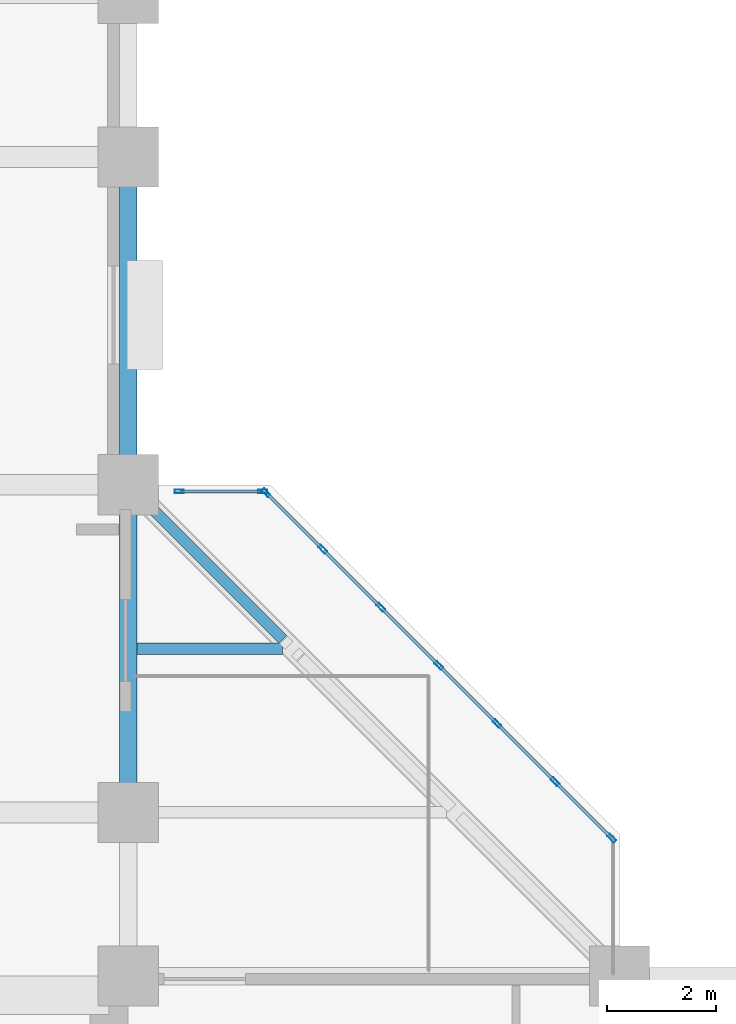
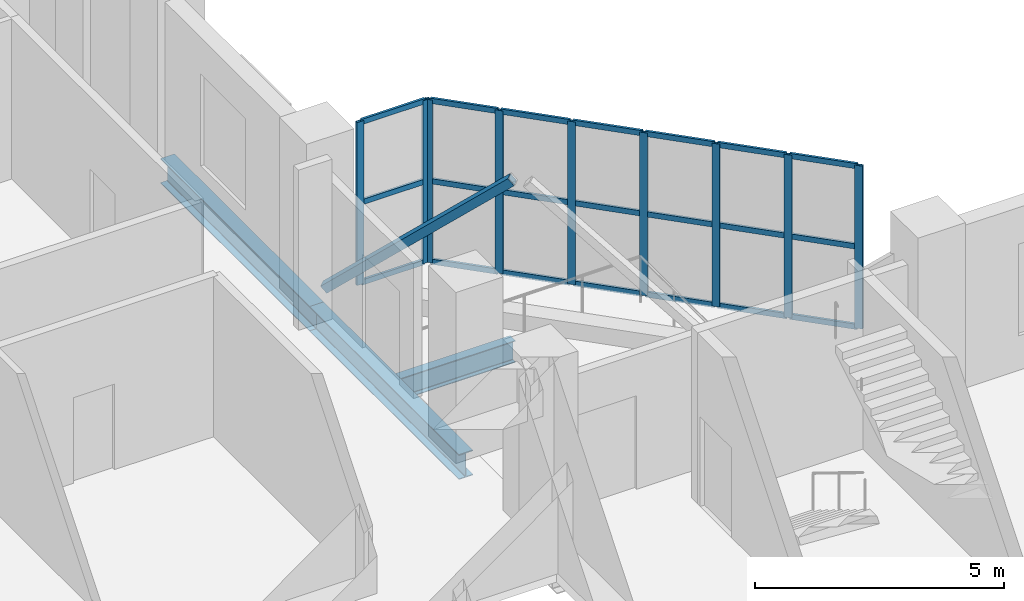
# One storey, part 2 of 10: 31 members, 3 beams, 2 elements without a shape of their own.
"""IFC4 building model written with IfcOpenShell, lengths in metres."""

from ifc_helpers import new_model, si_unit, direction, frame, origin, origin_2d, place, context, subcontext, project, spatial, hollow_rectangle, i_section, extrude, material, layer, layer_set, material_profile, profile_set, type_object, element, aggregate, save


model = new_model("IFC4")

# Units and contexts
model_context = context("Model", 3, precision=1e-05, world=origin(), true_north=direction((0.0, 1.0)))
body_context = subcontext(model_context, "Body", "Model", "MODEL_VIEW")
ifc_project = project(units=[si_unit("LENGTHUNIT", "METRE"), si_unit("AREAUNIT", "SQUARE_METRE"), si_unit("VOLUMEUNIT", "CUBIC_METRE"), si_unit("PLANEANGLEUNIT", "RADIAN"), si_unit("MASSUNIT", "GRAM", prefix="KILO")], contexts=[model_context])

# Site, building, storey
site_placement = place(None, origin())
site = spatial("IfcSite", under=ifc_project, at=site_placement, CompositionType="ELEMENT")
building_placement = place(site_placement, origin())
building = spatial("IfcBuilding", under=site, at=building_placement, Name="Mawjdan Bourse Tower", CompositionType="ELEMENT")
storey_placement = place(building_placement, frame((0.0, 0.0, 89.10009765625)))
storey = spatial("IfcBuildingStorey", under=building, at=storey_placement, Name="L20", CompositionType="ELEMENT", Elevation=89.10009765625)

# Member
ifc_material_1 = material(Name="Structural Steel S355", Category="steel")
ifc_material_profile_1 = material_profile(ifc_material_1, hollow_rectangle(XDim=0.199951171875, YDim=0.199951171875, WallThickness=0.010009765625, at=origin_2d()), Name="HSS200X200X10")
ifc_profile_set_1 = profile_set([ifc_material_profile_1], Name="Structural Steel S355")
member_type_1 = type_object("IfcMemberType", Name="BRC-HSS200X200X10", PredefinedType="BRACE", material=ifc_profile_set_1)
member_1_placement = place(storey_placement, frame((24.1201171875, 29.8798828125, 0.199951171875), z_axis=(0.536568841255, -0.536568841255, 0.651296980791), x_axis=(0.707106781187, 0.707106781187, 0.0)))
element("IfcMember", 1, at=member_1_placement, inside=storey, type_object=member_type_1, Name="L20 Atrium Sky Bridge Truss Diagonal 1", PredefinedType="BRACE", context=body_context, shape_type="SweptSolid", body=[
    extrude(hollow_rectangle(XDim=0.199951171875, YDim=0.199951171875, WallThickness=0.010009765625, at=origin_2d()), origin(), (0.0, 0.0, 1.0), 5.143310546875),
])

# Beam
ifc_material_profile_2 = material_profile(ifc_material_1, i_section(OverallWidth=0.2099609375, OverallDepth=0.537109375, WebThickness=0.010986328125, FlangeThickness=0.017333984375, FilletRadius=0.013916015625, at=origin_2d()), Name="W21X68")
ifc_profile_set_2 = profile_set([ifc_material_profile_2], Name="Structural Steel S355")
beam_type_1 = type_object("IfcBeamType", Name="JST-W21X68", PredefinedType="JOIST", material=ifc_profile_set_2)
beam_placement = place(storey_placement, frame((24.160400390625, 27.0, -0.5185546875), z_axis=(1.0, 0.0, 0.0), x_axis=(0.0, 1.0, 0.0)))
element("IfcBeam", 2, at=beam_placement, inside=storey, type_object=beam_type_1, Name="L20 Atrium Sky Bridge Deck Joist 104", PredefinedType="JOIST", context=body_context, shape_type="SweptSolid", body=[
    extrude(i_section(OverallWidth=0.2099609375, OverallDepth=0.537109375, WebThickness=0.010986328125, FlangeThickness=0.017333984375, FilletRadius=0.013916015625, at=origin_2d()), origin(), (0.0, 0.0, 1.0), 2.6640625),
])

# Curtain wall, members
ifc_material_2 = material(Name="Thermally Broken Aluminium and Solar Glass", Category="aluminium")
ifc_layer = layer(ifc_material_2, 0.219970703125)
ifc_layer_set = layer_set([ifc_layer], Name="Thermally Broken Aluminium and Solar Glass")
curtain_wall_type = type_object("IfcCurtainWallType", Name="CW-BRG", PredefinedType="USERDEFINED", material=ifc_layer_set)
curtain_wall_1_placement = place(storey_placement, origin())
curtain_wall_1 = element("IfcCurtainWall", 3, at=curtain_wall_1_placement, inside=storey, type_object=curtain_wall_type, Name="L20 Atrium Sky Bridge Diagonal Curtain Wall", ObjectType="SKY BRIDGE CURTAIN WALL", PredefinedType="USERDEFINED")
ifc_material_3 = material(Name="Thermally Broken Anodised Aluminium", Category="aluminium")
ifc_material_profile_3 = material_profile(ifc_material_3, hollow_rectangle(XDim=0.06494140625, YDim=0.1650390625, WallThickness=0.00390625, at=origin_2d()), Name="ALU-MUL-165X65")
ifc_profile_set_3 = profile_set([ifc_material_profile_3], Name="Thermally Broken Anodised Aluminium")
member_type_2 = type_object("IfcMemberType", Name="MUL-ALU-MUL-165X65", PredefinedType="MULLION", material=ifc_profile_set_3)
member_2_placement = place(storey_placement, frame((32.85693359375, 23.52294921875, 0.0), z_axis=(0.0, 0.0, 1.0), x_axis=(-0.707106781187, -0.707106781187, 0.0)))
member_2 = element("IfcMember", 4, at=member_2_placement, type_object=member_type_2, Name="CW-BRG-L20-BRG-DIAG mullion 1", PredefinedType="MULLION", context=body_context, shape_type="SweptSolid", body=[
    extrude(hollow_rectangle(XDim=0.06494140625, YDim=0.1650390625, WallThickness=0.00390625, at=origin_2d()), origin(), (0.0, 0.0, 1.0), 4.0),
])
member_3_placement = place(storey_placement, frame((31.816650390625, 24.563232421875, 0.0), z_axis=(0.0, 0.0, 1.0), x_axis=(-0.707106781187, -0.707106781187, 0.0)))
member_3 = element("IfcMember", 5, at=member_3_placement, type_object=member_type_2, Name="CW-BRG-L20-BRG-DIAG mullion 2", PredefinedType="MULLION", context=body_context, shape_type="SweptSolid", body=[
    extrude(hollow_rectangle(XDim=0.06494140625, YDim=0.1650390625, WallThickness=0.00390625, at=origin_2d()), origin(), (0.0, 0.0, 1.0), 4.0),
])
member_4_placement = place(storey_placement, frame((30.75341796875, 25.626708984375, 0.0), z_axis=(0.0, 0.0, 1.0), x_axis=(-0.707106781187, -0.707106781187, 0.0)))
member_4 = element("IfcMember", 6, at=member_4_placement, type_object=member_type_2, Name="CW-BRG-L20-BRG-DIAG mullion 3", PredefinedType="MULLION", context=body_context, shape_type="SweptSolid", body=[
    extrude(hollow_rectangle(XDim=0.06494140625, YDim=0.1650390625, WallThickness=0.00390625, at=origin_2d()), origin(), (0.0, 0.0, 1.0), 4.0),
])
member_5_placement = place(storey_placement, frame((29.68994140625, 26.68994140625, 0.0), z_axis=(0.0, 0.0, 1.0), x_axis=(-0.707106781187, -0.707106781187, 0.0)))
member_5 = element("IfcMember", 7, at=member_5_placement, type_object=member_type_2, Name="CW-BRG-L20-BRG-DIAG mullion 4", PredefinedType="MULLION", context=body_context, shape_type="SweptSolid", body=[
    extrude(hollow_rectangle(XDim=0.06494140625, YDim=0.1650390625, WallThickness=0.00390625, at=origin_2d()), origin(), (0.0, 0.0, 1.0), 4.0),
])
member_6_placement = place(storey_placement, frame((28.626708984375, 27.75341796875, 0.0), z_axis=(0.0, 0.0, 1.0), x_axis=(-0.707106781187, -0.707106781187, 0.0)))
member_6 = element("IfcMember", 8, at=member_6_placement, type_object=member_type_2, Name="CW-BRG-L20-BRG-DIAG mullion 5", PredefinedType="MULLION", context=body_context, shape_type="SweptSolid", body=[
    extrude(hollow_rectangle(XDim=0.06494140625, YDim=0.1650390625, WallThickness=0.00390625, at=origin_2d()), origin(), (0.0, 0.0, 1.0), 4.0),
])
member_7_placement = place(storey_placement, frame((27.563232421875, 28.816650390625, 0.0), z_axis=(0.0, 0.0, 1.0), x_axis=(-0.707106781187, -0.707106781187, 0.0)))
member_7 = element("IfcMember", 9, at=member_7_placement, type_object=member_type_2, Name="CW-BRG-L20-BRG-DIAG mullion 6", PredefinedType="MULLION", context=body_context, shape_type="SweptSolid", body=[
    extrude(hollow_rectangle(XDim=0.06494140625, YDim=0.1650390625, WallThickness=0.00390625, at=origin_2d()), origin(), (0.0, 0.0, 1.0), 4.0),
])
member_8_placement = place(storey_placement, frame((26.52294921875, 29.85693359375, 0.0), z_axis=(0.0, 0.0, 1.0), x_axis=(-0.707106781187, -0.707106781187, 0.0)))
member_8 = element("IfcMember", 10, at=member_8_placement, type_object=member_type_2, Name="CW-BRG-L20-BRG-DIAG mullion 7", PredefinedType="MULLION", context=body_context, shape_type="SweptSolid", body=[
    extrude(hollow_rectangle(XDim=0.06494140625, YDim=0.1650390625, WallThickness=0.00390625, at=origin_2d()), origin(), (0.0, 0.0, 1.0), 4.0),
])

curtain_wall_2_placement = place(storey_placement, origin())
curtain_wall_2 = element("IfcCurtainWall", 11, at=curtain_wall_2_placement, inside=storey, type_object=curtain_wall_type, Name="L20 Atrium Sky Bridge North Return Curtain Wall", ObjectType="SKY BRIDGE CURTAIN WALL", PredefinedType="USERDEFINED")
member_9_placement = place(storey_placement, frame((26.467529296875, 29.8798828125, 0.0), z_axis=(0.0, 0.0, 1.0), x_axis=(0.0, -1.0, 0.0)))
member_9 = element("IfcMember", 12, at=member_9_placement, type_object=member_type_2, Name="CW-BRG-L20-BRG-N mullion 1", PredefinedType="MULLION", context=body_context, shape_type="SweptSolid", body=[
    extrude(hollow_rectangle(XDim=0.06494140625, YDim=0.1650390625, WallThickness=0.00390625, at=origin_2d()), origin(), (0.0, 0.0, 1.0), 4.0),
])
member_10_placement = place(storey_placement, frame((24.9326171875, 29.8798828125, 0.0), z_axis=(0.0, 0.0, 1.0), x_axis=(0.0, -1.0, 0.0)))
member_10 = element("IfcMember", 13, at=member_10_placement, type_object=member_type_2, Name="CW-BRG-L20-BRG-N mullion 2", PredefinedType="MULLION", context=body_context, shape_type="SweptSolid", body=[
    extrude(hollow_rectangle(XDim=0.06494140625, YDim=0.1650390625, WallThickness=0.00390625, at=origin_2d()), origin(), (0.0, 0.0, 1.0), 4.0),
])

# Beams
ifc_material_profile_4 = material_profile(ifc_material_1, i_section(OverallWidth=0.324951171875, OverallDepth=0.616943359375, WebThickness=0.013916015625, FlangeThickness=0.021484375, FilletRadius=0.017333984375, at=origin_2d()), Name="W24X117")
ifc_profile_set_4 = profile_set([ifc_material_profile_4], Name="Structural Steel S355")
beam_type_2 = type_object("IfcBeamType", Name="SPN-W24X117", PredefinedType="SPANDREL", material=ifc_profile_set_4)
for number, where, z_axis, x_axis, name in (
    (14, (24.0, 24.0, -0.55859375), (0.0, 1.0, 0.0), (-1.0, 0.0, 0.0), "L20 Sky Bridge West Interface Spandrel 078"),
    (15, (24.0, 30.0, -0.55859375), (0.0, 1.0, 0.0), (-1.0, 0.0, 0.0), "L20 Sky Bridge West Interface Spandrel 079"),
):
    element("IfcBeam", number, at=place(storey_placement, frame(where, z_axis=z_axis, x_axis=x_axis)), inside=storey, type_object=beam_type_2, Name=name, PredefinedType="SPANDREL", context=body_context, shape_type="SweptSolid", body=[
        extrude(i_section(OverallWidth=0.324951171875, OverallDepth=0.616943359375, WebThickness=0.013916015625, FlangeThickness=0.021484375, FilletRadius=0.017333984375, at=origin_2d()), origin(), (0.0, 0.0, 1.0), 6.0),
    ])

# Member
ifc_material_profile_5 = material_profile(ifc_material_3, hollow_rectangle(XDim=0.054931640625, YDim=0.1298828125, WallThickness=0.00341796875, at=origin_2d()), Name="ALU-TRN-130X55")
ifc_profile_set_5 = profile_set([ifc_material_profile_5], Name="Thermally Broken Anodised Aluminium")
member_type_3 = type_object("IfcMemberType", Name="TRN-ALU-TRN-130X55", PredefinedType="USERDEFINED", material=ifc_profile_set_5)
member_11_placement = place(storey_placement, frame((32.833984375, 23.5458984375, 0.02734375), z_axis=(-0.707106781187, 0.707106781187, 0.0), x_axis=(-0.707106781187, -0.707106781187, 0.0)))
member_11 = element("IfcMember", 16, at=member_11_placement, type_object=member_type_3, Name="CW-BRG-L20-BRG-DIAG transom 1.1", ObjectType="TRANSOM", PredefinedType="USERDEFINED", context=body_context, shape_type="SweptSolid", body=[
    extrude(hollow_rectangle(XDim=0.054931640625, YDim=0.1298828125, WallThickness=0.00341796875, at=origin_2d()), origin(), (0.0, 0.0, 1.0), 1.40625),
])

member_12_placement = place(storey_placement, frame((32.833984375, 23.5458984375, 2.0), z_axis=(-0.707106781187, 0.707106781187, 0.0), x_axis=(-0.707106781187, -0.707106781187, 0.0)))
member_12 = element("IfcMember", 17, at=member_12_placement, type_object=member_type_3, Name="CW-BRG-L20-BRG-DIAG transom 1.2", ObjectType="TRANSOM", PredefinedType="USERDEFINED", context=body_context, shape_type="SweptSolid", body=[
    extrude(hollow_rectangle(XDim=0.054931640625, YDim=0.1298828125, WallThickness=0.00341796875, at=origin_2d()), origin(), (0.0, 0.0, 1.0), 1.40625),
])

member_13_placement = place(storey_placement, frame((32.833984375, 23.5458984375, 3.972412109375), z_axis=(-0.707106781187, 0.707106781187, 0.0), x_axis=(-0.707106781187, -0.707106781187, 0.0)))
member_13 = element("IfcMember", 18, at=member_13_placement, type_object=member_type_3, Name="CW-BRG-L20-BRG-DIAG transom 1.3", ObjectType="TRANSOM", PredefinedType="USERDEFINED", context=body_context, shape_type="SweptSolid", body=[
    extrude(hollow_rectangle(XDim=0.054931640625, YDim=0.1298828125, WallThickness=0.00341796875, at=origin_2d()), origin(), (0.0, 0.0, 1.0), 1.40625),
])

member_14_placement = place(storey_placement, frame((31.793701171875, 24.58642578125, 0.02734375), z_axis=(-0.707106781187, 0.707106781187, 0.0), x_axis=(-0.707106781187, -0.707106781187, 0.0)))
member_14 = element("IfcMember", 19, at=member_14_placement, type_object=member_type_3, Name="CW-BRG-L20-BRG-DIAG transom 2.1", ObjectType="TRANSOM", PredefinedType="USERDEFINED", context=body_context, shape_type="SweptSolid", body=[
    extrude(hollow_rectangle(XDim=0.054931640625, YDim=0.1298828125, WallThickness=0.00341796875, at=origin_2d()), origin(), (0.0, 0.0, 1.0), 1.438720703125),
])

member_15_placement = place(storey_placement, frame((31.793701171875, 24.58642578125, 2.0), z_axis=(-0.707106781187, 0.707106781187, 0.0), x_axis=(-0.707106781187, -0.707106781187, 0.0)))
member_15 = element("IfcMember", 20, at=member_15_placement, type_object=member_type_3, Name="CW-BRG-L20-BRG-DIAG transom 2.2", ObjectType="TRANSOM", PredefinedType="USERDEFINED", context=body_context, shape_type="SweptSolid", body=[
    extrude(hollow_rectangle(XDim=0.054931640625, YDim=0.1298828125, WallThickness=0.00341796875, at=origin_2d()), origin(), (0.0, 0.0, 1.0), 1.438720703125),
])

member_16_placement = place(storey_placement, frame((31.793701171875, 24.58642578125, 3.972412109375), z_axis=(-0.707106781187, 0.707106781187, 0.0), x_axis=(-0.707106781187, -0.707106781187, 0.0)))
member_16 = element("IfcMember", 21, at=member_16_placement, type_object=member_type_3, Name="CW-BRG-L20-BRG-DIAG transom 2.3", ObjectType="TRANSOM", PredefinedType="USERDEFINED", context=body_context, shape_type="SweptSolid", body=[
    extrude(hollow_rectangle(XDim=0.054931640625, YDim=0.1298828125, WallThickness=0.00341796875, at=origin_2d()), origin(), (0.0, 0.0, 1.0), 1.438720703125),
])

member_17_placement = place(storey_placement, frame((30.73046875, 25.649658203125, 0.02734375), z_axis=(-0.707191611943, 0.707021940251, 0.0), x_axis=(-0.707021940251, -0.707191611943, 0.0)))
member_17 = element("IfcMember", 22, at=member_17_placement, type_object=member_type_3, Name="CW-BRG-L20-BRG-DIAG transom 3.1", ObjectType="TRANSOM", PredefinedType="USERDEFINED", context=body_context, shape_type="SweptSolid", body=[
    extrude(hollow_rectangle(XDim=0.054931640625, YDim=0.1298828125, WallThickness=0.00341796875, at=origin_2d()), origin(), (0.0, 0.0, 1.0), 1.43896484375),
])

member_18_placement = place(storey_placement, frame((30.73046875, 25.649658203125, 2.0), z_axis=(-0.707191611943, 0.707021940251, 0.0), x_axis=(-0.707021940251, -0.707191611943, 0.0)))
member_18 = element("IfcMember", 23, at=member_18_placement, type_object=member_type_3, Name="CW-BRG-L20-BRG-DIAG transom 3.2", ObjectType="TRANSOM", PredefinedType="USERDEFINED", context=body_context, shape_type="SweptSolid", body=[
    extrude(hollow_rectangle(XDim=0.054931640625, YDim=0.1298828125, WallThickness=0.00341796875, at=origin_2d()), origin(), (0.0, 0.0, 1.0), 1.43896484375),
])

member_19_placement = place(storey_placement, frame((30.73046875, 25.649658203125, 3.972412109375), z_axis=(-0.707191611943, 0.707021940251, 0.0), x_axis=(-0.707021940251, -0.707191611943, 0.0)))
member_19 = element("IfcMember", 24, at=member_19_placement, type_object=member_type_3, Name="CW-BRG-L20-BRG-DIAG transom 3.3", ObjectType="TRANSOM", PredefinedType="USERDEFINED", context=body_context, shape_type="SweptSolid", body=[
    extrude(hollow_rectangle(XDim=0.054931640625, YDim=0.1298828125, WallThickness=0.00341796875, at=origin_2d()), origin(), (0.0, 0.0, 1.0), 1.43896484375),
])

member_20_placement = place(storey_placement, frame((29.6669921875, 26.712890625, 0.02734375), z_axis=(-0.707021940251, 0.707191611943, 0.0), x_axis=(-0.707191611943, -0.707021940251, 0.0)))
member_20 = element("IfcMember", 25, at=member_20_placement, type_object=member_type_3, Name="CW-BRG-L20-BRG-DIAG transom 4.1", ObjectType="TRANSOM", PredefinedType="USERDEFINED", context=body_context, shape_type="SweptSolid", body=[
    extrude(hollow_rectangle(XDim=0.054931640625, YDim=0.1298828125, WallThickness=0.00341796875, at=origin_2d()), origin(), (0.0, 0.0, 1.0), 1.43896484375),
])

member_21_placement = place(storey_placement, frame((29.6669921875, 26.712890625, 2.0), z_axis=(-0.707021940251, 0.707191611943, 0.0), x_axis=(-0.707191611943, -0.707021940251, 0.0)))
member_21 = element("IfcMember", 26, at=member_21_placement, type_object=member_type_3, Name="CW-BRG-L20-BRG-DIAG transom 4.2", ObjectType="TRANSOM", PredefinedType="USERDEFINED", context=body_context, shape_type="SweptSolid", body=[
    extrude(hollow_rectangle(XDim=0.054931640625, YDim=0.1298828125, WallThickness=0.00341796875, at=origin_2d()), origin(), (0.0, 0.0, 1.0), 1.43896484375),
])

member_22_placement = place(storey_placement, frame((29.6669921875, 26.712890625, 3.972412109375), z_axis=(-0.707021940251, 0.707191611943, 0.0), x_axis=(-0.707191611943, -0.707021940251, 0.0)))
member_22 = element("IfcMember", 27, at=member_22_placement, type_object=member_type_3, Name="CW-BRG-L20-BRG-DIAG transom 4.3", ObjectType="TRANSOM", PredefinedType="USERDEFINED", context=body_context, shape_type="SweptSolid", body=[
    extrude(hollow_rectangle(XDim=0.054931640625, YDim=0.1298828125, WallThickness=0.00341796875, at=origin_2d()), origin(), (0.0, 0.0, 1.0), 1.43896484375),
])

member_23_placement = place(storey_placement, frame((28.603759765625, 27.7763671875, 0.02734375), z_axis=(-0.707106781187, 0.707106781187, 0.0), x_axis=(-0.707106781187, -0.707106781187, 0.0)))
member_23 = element("IfcMember", 28, at=member_23_placement, type_object=member_type_3, Name="CW-BRG-L20-BRG-DIAG transom 5.1", ObjectType="TRANSOM", PredefinedType="USERDEFINED", context=body_context, shape_type="SweptSolid", body=[
    extrude(hollow_rectangle(XDim=0.054931640625, YDim=0.1298828125, WallThickness=0.00341796875, at=origin_2d()), origin(), (0.0, 0.0, 1.0), 1.438720703125),
])

member_24_placement = place(storey_placement, frame((28.603759765625, 27.7763671875, 2.0), z_axis=(-0.707106781187, 0.707106781187, 0.0), x_axis=(-0.707106781187, -0.707106781187, 0.0)))
member_24 = element("IfcMember", 29, at=member_24_placement, type_object=member_type_3, Name="CW-BRG-L20-BRG-DIAG transom 5.2", ObjectType="TRANSOM", PredefinedType="USERDEFINED", context=body_context, shape_type="SweptSolid", body=[
    extrude(hollow_rectangle(XDim=0.054931640625, YDim=0.1298828125, WallThickness=0.00341796875, at=origin_2d()), origin(), (0.0, 0.0, 1.0), 1.438720703125),
])

member_25_placement = place(storey_placement, frame((28.603759765625, 27.7763671875, 3.972412109375), z_axis=(-0.707106781187, 0.707106781187, 0.0), x_axis=(-0.707106781187, -0.707106781187, 0.0)))
member_25 = element("IfcMember", 30, at=member_25_placement, type_object=member_type_3, Name="CW-BRG-L20-BRG-DIAG transom 5.3", ObjectType="TRANSOM", PredefinedType="USERDEFINED", context=body_context, shape_type="SweptSolid", body=[
    extrude(hollow_rectangle(XDim=0.054931640625, YDim=0.1298828125, WallThickness=0.00341796875, at=origin_2d()), origin(), (0.0, 0.0, 1.0), 1.438720703125),
])

member_26_placement = place(storey_placement, frame((27.540283203125, 28.839599609375, 0.02734375), z_axis=(-0.707106781187, 0.707106781187, 0.0), x_axis=(-0.707106781187, -0.707106781187, 0.0)))
member_26 = element("IfcMember", 31, at=member_26_placement, type_object=member_type_3, Name="CW-BRG-L20-BRG-DIAG transom 6.1", ObjectType="TRANSOM", PredefinedType="USERDEFINED", context=body_context, shape_type="SweptSolid", body=[
    extrude(hollow_rectangle(XDim=0.054931640625, YDim=0.1298828125, WallThickness=0.00341796875, at=origin_2d()), origin(), (0.0, 0.0, 1.0), 1.40625),
])

member_27_placement = place(storey_placement, frame((27.540283203125, 28.839599609375, 2.0), z_axis=(-0.707106781187, 0.707106781187, 0.0), x_axis=(-0.707106781187, -0.707106781187, 0.0)))
member_27 = element("IfcMember", 32, at=member_27_placement, type_object=member_type_3, Name="CW-BRG-L20-BRG-DIAG transom 6.2", ObjectType="TRANSOM", PredefinedType="USERDEFINED", context=body_context, shape_type="SweptSolid", body=[
    extrude(hollow_rectangle(XDim=0.054931640625, YDim=0.1298828125, WallThickness=0.00341796875, at=origin_2d()), origin(), (0.0, 0.0, 1.0), 1.40625),
])

member_28_placement = place(storey_placement, frame((27.540283203125, 28.839599609375, 3.972412109375), z_axis=(-0.707106781187, 0.707106781187, 0.0), x_axis=(-0.707106781187, -0.707106781187, 0.0)))
member_28 = element("IfcMember", 33, at=member_28_placement, type_object=member_type_3, Name="CW-BRG-L20-BRG-DIAG transom 6.3", ObjectType="TRANSOM", PredefinedType="USERDEFINED", context=body_context, shape_type="SweptSolid", body=[
    extrude(hollow_rectangle(XDim=0.054931640625, YDim=0.1298828125, WallThickness=0.00341796875, at=origin_2d()), origin(), (0.0, 0.0, 1.0), 1.40625),
])

aggregate(curtain_wall_1, [member_2, member_3, member_4, member_5, member_6, member_7, member_8, member_11, member_12, member_13, member_14, member_15, member_16, member_17, member_18, member_19, member_20, member_21, member_22, member_23, member_24, member_25, member_26, member_27, member_28])

member_29_placement = place(storey_placement, frame((26.43505859375, 29.8798828125, 0.02734375), z_axis=(-1.0, 0.0, 0.0), x_axis=(0.0, -1.0, 0.0)))
member_29 = element("IfcMember", 34, at=member_29_placement, type_object=member_type_3, Name="CW-BRG-L20-BRG-N transom 1.1", ObjectType="TRANSOM", PredefinedType="USERDEFINED", context=body_context, shape_type="SweptSolid", body=[
    extrude(hollow_rectangle(XDim=0.054931640625, YDim=0.1298828125, WallThickness=0.00341796875, at=origin_2d()), origin(), (0.0, 0.0, 1.0), 1.469970703125),
])

member_30_placement = place(storey_placement, frame((26.43505859375, 29.8798828125, 2.0), z_axis=(-1.0, 0.0, 0.0), x_axis=(0.0, -1.0, 0.0)))
member_30 = element("IfcMember", 35, at=member_30_placement, type_object=member_type_3, Name="CW-BRG-L20-BRG-N transom 1.2", ObjectType="TRANSOM", PredefinedType="USERDEFINED", context=body_context, shape_type="SweptSolid", body=[
    extrude(hollow_rectangle(XDim=0.054931640625, YDim=0.1298828125, WallThickness=0.00341796875, at=origin_2d()), origin(), (0.0, 0.0, 1.0), 1.469970703125),
])

member_31_placement = place(storey_placement, frame((26.43505859375, 29.8798828125, 3.972412109375), z_axis=(-1.0, 0.0, 0.0), x_axis=(0.0, -1.0, 0.0)))
member_31 = element("IfcMember", 36, at=member_31_placement, type_object=member_type_3, Name="CW-BRG-L20-BRG-N transom 1.3", ObjectType="TRANSOM", PredefinedType="USERDEFINED", context=body_context, shape_type="SweptSolid", body=[
    extrude(hollow_rectangle(XDim=0.054931640625, YDim=0.1298828125, WallThickness=0.00341796875, at=origin_2d()), origin(), (0.0, 0.0, 1.0), 1.469970703125),
])

aggregate(curtain_wall_2, [member_9, member_10, member_29, member_30, member_31])

save(model, "model.ifc")
